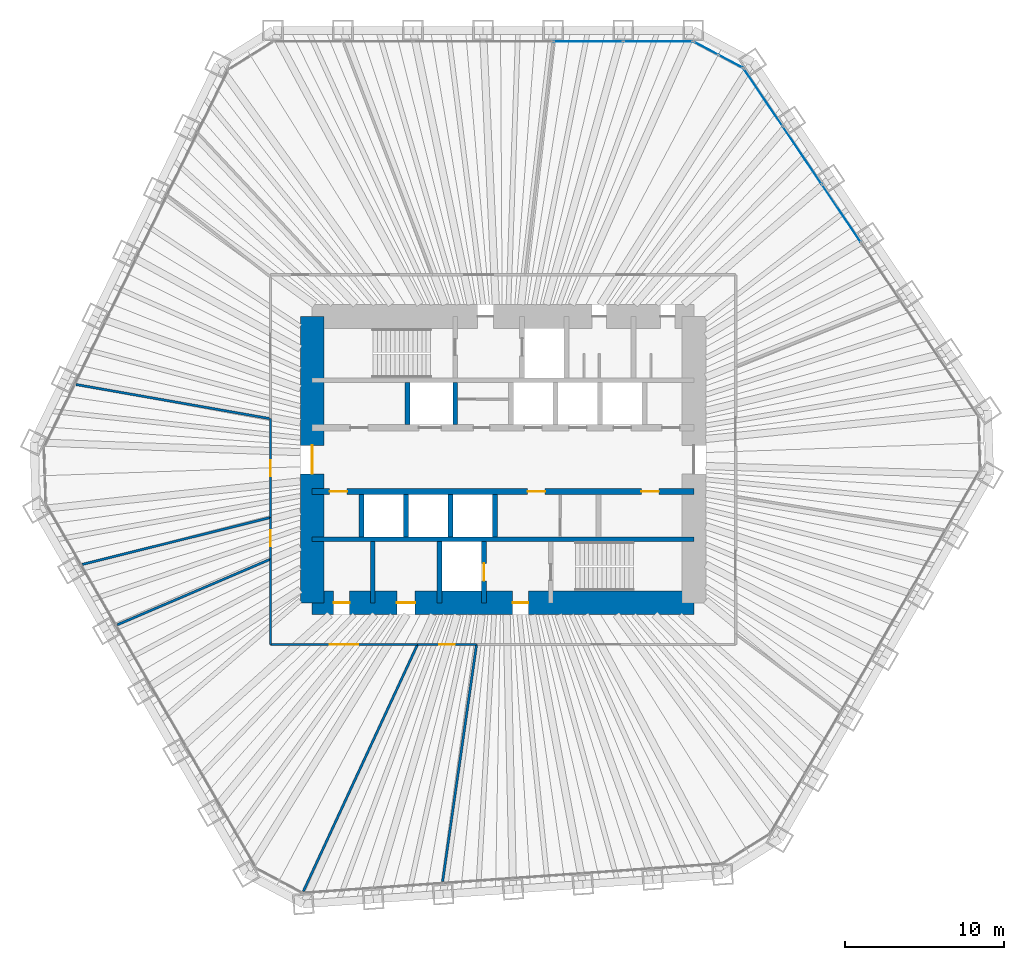
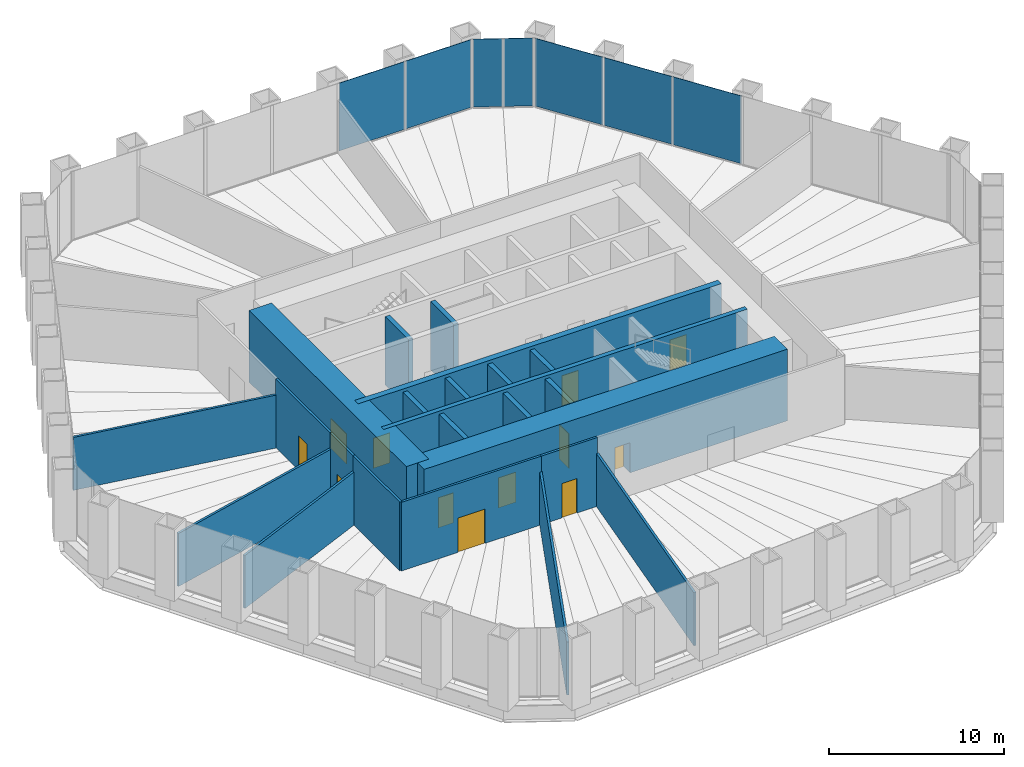
# One storey, part 10 of 13: 23 walls, 12 doors, 7 plates, 12 openings, 3 elements without a shape of their own.
"""IFC4 building model written with IfcOpenShell, lengths in metres."""

import ifcopenshell
import ifcopenshell.guid

model = None  # the IFC model being written
_history = None  # IfcOwnerHistory: only IFC2X3 demands one
_inside = {}  # id of a spatial element -> (the spatial element, [elements in it])
_under = {}  # id of a project, library or spatial element -> (it, [spatial elements below it])
_declared = {}  # id of a project -> (the project, [libraries it declares])
_typed = {}  # id of a type object -> (the type object, [elements of that type])
_made_of = {}  # id of a material, layer set ... -> (it, [elements and type objects made of it])


def new_model(schema):
    """Start an empty IFC model of exactly this schema.

    Asked for "IFC4X3", IfcOpenShell would pick the latest addendum, in which some entities
    have other attributes; the version numbers below select the first issue.
    IFC2X3 requires an IfcOwnerHistory on every rooted entity: one is made here for all.
    """
    global model, _history
    if schema == "IFC4X3":
        model = ifcopenshell.file(schema_version=(4, 3, 0, 0))
    else:
        model = ifcopenshell.file(schema=schema)
    _inside.clear()
    _under.clear()
    _declared.clear()
    _typed.clear()
    _made_of.clear()
    _history = None
    if model.schema == "IFC2X3":
        org = make("IfcOrganization", Name="unknown")
        user = make(
            "IfcPersonAndOrganization",
            ThePerson=make("IfcPerson", FamilyName="unknown"),
            TheOrganization=org,
        )
        app = make(
            "IfcApplication",
            ApplicationDeveloper=org,
            Version="unknown",
            ApplicationFullName="unknown",
            ApplicationIdentifier="unknown",
        )
        _history = make(
            "IfcOwnerHistory",
            OwningUser=user,
            OwningApplication=app,
            ChangeAction="ADDED",
            CreationDate=0,
        )
    return model


def make(cls, **values):
    """One entity of the class cls with the attributes given. An attribute that is None is left unset."""
    return model.create_entity(
        cls, **{name: value for name, value in values.items() if value is not None}
    )


def rooted(cls, **values):
    """An entity with a GlobalId (a new one), such as an element, a storey or a relation."""
    return make(cls, GlobalId=ifcopenshell.guid.new(), OwnerHistory=_history, **values)


def si_unit(unit_type, name, prefix=None):
    """IfcSIUnit, for example si_unit("LENGTHUNIT", "METRE", prefix="MILLI")."""
    return make("IfcSIUnit", UnitType=unit_type, Prefix=prefix, Name=name)


def assignment(units):
    """IfcUnitAssignment: the units of a project."""
    return None if units is None else make("IfcUnitAssignment", Units=units)


def point(xyz):
    """IfcCartesianPoint."""
    return None if xyz is None else make("IfcCartesianPoint", Coordinates=xyz)


def direction(xyz):
    """IfcDirection."""
    return None if xyz is None else make("IfcDirection", DirectionRatios=xyz)


def frame(location, z_axis=None, x_axis=None):
    """IfcAxis2Placement3D, a coordinate frame: its origin and axes. An axis left out is left unset."""
    return make(
        "IfcAxis2Placement3D",
        Location=point(location),
        Axis=direction(z_axis),
        RefDirection=direction(x_axis),
    )


def frame_2d(location, x_axis=None):
    """IfcAxis2Placement2D, a coordinate frame in the plane: its origin and x axis."""
    return make(
        "IfcAxis2Placement2D", Location=point(location), RefDirection=direction(x_axis)
    )


def origin():
    """The frame at (0, 0, 0) with its axes left unset."""
    return frame((0.0, 0.0, 0.0))


def origin_2d():
    """The frame at (0, 0) in the plane with its x axis left unset."""
    return frame_2d((0.0, 0.0))


def place(relative_to, where):
    """IfcLocalPlacement: puts the frame where relative to a parent placement (None: the world)."""
    return make(
        "IfcLocalPlacement", PlacementRelTo=relative_to, RelativePlacement=where
    )


def context(
    kind, dimensions, precision=None, world=None, true_north=None, identifier=None
):
    """IfcGeometricRepresentationContext, for example the 3D "Model" context."""
    return make(
        "IfcGeometricRepresentationContext",
        ContextIdentifier=identifier,
        ContextType=kind,
        CoordinateSpaceDimension=dimensions,
        Precision=precision,
        WorldCoordinateSystem=world,
        TrueNorth=true_north,
    )


def subcontext(parent, identifier, kind, view, scale=None):
    """IfcGeometricRepresentationSubContext, for example "Body" below "Model"."""
    return make(
        "IfcGeometricRepresentationSubContext",
        ContextIdentifier=identifier,
        ContextType=kind,
        ParentContext=parent,
        TargetScale=scale,
        TargetView=view,
    )


def project(units=None, contexts=None):
    """IfcProject with its units and contexts."""
    return rooted(
        "IfcProject",
        Name="project",
        RepresentationContexts=contexts,
        UnitsInContext=assignment(units),
    )


def spatial(cls, under=None, at=None, **own):
    """A site, building, storey or space (cls), placed at a placement, below another one or the project."""
    s = rooted(cls, ObjectPlacement=at, **own)
    if under is not None:
        _under.setdefault(under.id(), (under, []))[1].append(s)
    return s


def profile(cls, at=None, kind="AREA", **sizes):
    """A parametric profile (cls). Its sizes go by their IFC names, for example OverallWidth=200.0."""
    return make(cls, ProfileType=kind, Position=at, **sizes)


def rectangle(**sizes):
    """IfcRectangleProfileDef."""
    return profile("IfcRectangleProfileDef", **sizes)


def extrude(swept, where, along, depth):
    """IfcExtrudedAreaSolid: the profile swept, set in the frame where, extruded along a direction by depth."""
    return make(
        "IfcExtrudedAreaSolid",
        SweptArea=swept,
        Position=where,
        ExtrudedDirection=direction(along),
        Depth=depth,
    )


def shape(context_of_items, identifier, shape_type, items):
    """IfcShapeRepresentation: the items that make up one representation, for example the "Body"."""
    return make(
        "IfcShapeRepresentation",
        ContextOfItems=context_of_items,
        RepresentationIdentifier=identifier,
        RepresentationType=shape_type,
        Items=items,
    )


def material(Name=None, Category=None):
    """IfcMaterial."""
    return make("IfcMaterial", Name=Name, Category=Category)


def layer(
    of_material, thickness, ventilated=None, Name=None, Category=None, Priority=None
):
    """IfcMaterialLayer: one layer of a wall or slab, of a material (None: an air gap)."""
    return make(
        "IfcMaterialLayer",
        Material=of_material,
        LayerThickness=thickness,
        IsVentilated=ventilated,
        Name=Name,
        Category=Category,
        Priority=Priority,
    )


def layer_set(layers, Name=None):
    """IfcMaterialLayerSet."""
    return make("IfcMaterialLayerSet", MaterialLayers=layers, LayerSetName=Name)


def made_of(thing, what):
    """Note that an element or type object is made of a material, layer set ...; save() writes the relation."""
    if what is not None:
        _made_of.setdefault(what.id(), (what, []))[1].append(thing)
    return thing


def type_object(cls, material=None, **own):
    """A type object (cls), such as IfcWallType, which elements share."""
    return made_of(rooted(cls, **own), material)


def element(
    cls,
    number,
    at=None,
    inside=None,
    cuts=None,
    type_object=None,
    material=None,
    context=None,
    identifier="Body",
    shape_type=None,
    held_by="IfcProductDefinitionShape",
    body=None,
    shapes=None,
    **own,
):
    """One element of the class cls, such as IfcWall. Its Tag is "e" and its number.

    at: its placement. inside: the storey or other place that contains it. cuts: it is an
    opening in that element (IfcRelVoidsElement). A single representation is given by context,
    identifier, shape_type and body (its items); several are given by shapes. held_by: the class
    of the entity that holds the representations. save() writes the other relations.
    """
    e = rooted(cls, Tag="e%d" % number, ObjectPlacement=at, **own)
    if body is not None:
        shapes = [shape(context, identifier, shape_type, body)]
    if shapes is not None:
        e.Representation = make(held_by, Representations=shapes)
    if inside is not None:
        _inside.setdefault(inside.id(), (inside, []))[1].append(e)
    if cuts is not None:
        rooted(
            "IfcRelVoidsElement", RelatingBuildingElement=cuts, RelatedOpeningElement=e
        )
    if type_object is not None:
        _typed.setdefault(type_object.id(), (type_object, []))[1].append(e)
    return made_of(e, material)


def fill(opening, filler):
    """IfcRelFillsElement: the door or window that sits in an opening."""
    return rooted(
        "IfcRelFillsElement",
        RelatingOpeningElement=opening,
        RelatedBuildingElement=filler,
    )


def aggregate(whole, parts):
    """IfcRelAggregates: a whole, such as a stair, and the parts it consists of."""
    return rooted("IfcRelAggregates", RelatingObject=whole, RelatedObjects=parts)


def save(model, path):
    """Write the relations noted so far, then the file.

    IfcRelAggregates (storeys below a building ...), IfcRelContainedInSpatialStructure (elements
    in a storey), IfcRelDefinesByType, IfcRelAssociatesMaterial and IfcRelDeclares: one each for
    every whole, place, type object, material and project.
    """
    for whole, parts in _under.values():
        aggregate(whole, parts)
    for where, things in _inside.values():
        rooted(
            "IfcRelContainedInSpatialStructure",
            RelatedElements=things,
            RelatingStructure=where,
        )
    for kind, things in _typed.values():
        rooted("IfcRelDefinesByType", RelatedObjects=things, RelatingType=kind)
    for what, things in _made_of.values():
        rooted("IfcRelAssociatesMaterial", RelatedObjects=things, RelatingMaterial=what)
    for by, libraries in _declared.values():
        rooted("IfcRelDeclares", RelatingContext=by, RelatedDefinitions=libraries)
    model.write(path)


model = new_model("IFC4")

# Units and contexts
model_context = context("Model", 3, precision=1e-05, world=origin(), true_north=direction((0.0, 1.0)))
body_context = subcontext(model_context, "Body", "Model", "MODEL_VIEW")
ifc_project = project(units=[si_unit("LENGTHUNIT", "METRE"), si_unit("AREAUNIT", "SQUARE_METRE"), si_unit("VOLUMEUNIT", "CUBIC_METRE"), si_unit("PLANEANGLEUNIT", "RADIAN"), si_unit("MASSUNIT", "GRAM", prefix="KILO")], contexts=[model_context])

# Site, building, storey
site_placement = place(None, origin())
site = spatial("IfcSite", under=ifc_project, at=site_placement, CompositionType="ELEMENT")
building_placement = place(site_placement, origin())
building = spatial("IfcBuilding", under=site, at=building_placement, Name="Qingtian Harvest Tower", CompositionType="ELEMENT")
storey_placement = place(building_placement, frame((0.0, 0.0, 47.0)))
storey = spatial("IfcBuildingStorey", under=building, at=storey_placement, Name="L09", CompositionType="ELEMENT", Elevation=47.0)

# Curtain wall, plates
ifc_material_1 = material(Name="Bronze-anodised aluminium curtain wall", Category="aluminium")
curtain_wall_type = type_object("IfcCurtainWallType", Name="Curtain wall CW2 farm reception", PredefinedType="USERDEFINED", material=ifc_material_1)
curtain_wall_1_placement = place(storey_placement, origin())
curtain_wall_1 = element("IfcCurtainWall", 1, at=curtain_wall_1_placement, inside=storey, type_object=curtain_wall_type, Name="Curtain wall CW2 L09 N0-5", ObjectType="RECESSED CURTAIN WALL", PredefinedType="USERDEFINED")
ifc_material_2 = material(Name="Bronze-tinted laminated insulating glass", Category="glass")
ifc_layer_1 = layer(ifc_material_2, 0.030029296875)
ifc_layer_set_1 = layer_set([ifc_layer_1], Name="Glazed panel CWP tinted IGU")
plate_type = type_object("IfcPlateType", Name="Glazed panel CWP tinted IGU", PredefinedType="CURTAIN_PANEL", material=ifc_layer_set_1)
plate_1_placement = place(storey_placement, frame((5.349365234375, 26.300048828125, 0.06494140625), z_axis=(0.0, 0.0, 1.0), x_axis=(1.0, 0.0, 0.0)))
plate_1 = element("IfcPlate", 2, at=plate_1_placement, type_object=plate_type, Name="CW2 panel 5.1", PredefinedType="CURTAIN_PANEL", context=body_context, shape_type="SweptSolid", body=[
    extrude(rectangle(XDim=4.339599609375, YDim=0.030029296875, at=origin_2d()), origin(), (0.0, 0.0, 1.0), 4.735107421875),
])
plate_2_placement = place(storey_placement, frame((9.737548828125, 26.300048828125, 0.06494140625), z_axis=(0.0, 0.0, 1.0), x_axis=(1.0, 0.0, 0.0)))
plate_2 = element("IfcPlate", 3, at=plate_2_placement, type_object=plate_type, Name="CW2 panel 6.1", PredefinedType="CURTAIN_PANEL", context=body_context, shape_type="SweptSolid", body=[
    extrude(rectangle(XDim=4.30712890625, YDim=0.030029296875, at=origin_2d()), origin(), (0.0, 0.0, 1.0), 4.735107421875),
])
aggregate(curtain_wall_1, [plate_1, plate_2])

curtain_wall_2_placement = place(storey_placement, origin())
curtain_wall_2 = element("IfcCurtainWall", 4, at=curtain_wall_2_placement, inside=storey, type_object=curtain_wall_type, Name="Curtain wall CW2 L09 NC", ObjectType="RECESSED CURTAIN WALL", PredefinedType="USERDEFINED")
plate_3_placement = place(storey_placement, frame((12.760986328125, 25.8720703125, 0.06494140625), z_axis=(0.0, 0.0, 1.0), x_axis=(0.882947592859, -0.469471562786, 0.0)))
plate_3 = element("IfcPlate", 5, at=plate_3_placement, type_object=plate_type, Name="CW2 panel 1.1", PredefinedType="CURTAIN_PANEL", context=body_context, shape_type="SweptSolid", body=[
    extrude(rectangle(XDim=1.69287109375, YDim=0.030029296875, at=origin_2d()), origin(), (0.0, 0.0, 1.0), 4.735107421875),
])
plate_4_placement = place(storey_placement, frame((14.31298828125, 25.046875, 0.06494140625), z_axis=(0.0, 0.0, 1.0), x_axis=(0.882947592859, -0.469471562786, 0.0)))
plate_4 = element("IfcPlate", 6, at=plate_4_placement, type_object=plate_type, Name="CW2 panel 2.1", PredefinedType="CURTAIN_PANEL", context=body_context, shape_type="SweptSolid", body=[
    extrude(rectangle(XDim=1.69287109375, YDim=0.030029296875, at=origin_2d()), origin(), (0.0, 0.0, 1.0), 4.735107421875),
])
aggregate(curtain_wall_2, [plate_3, plate_4])

curtain_wall_3_placement = place(storey_placement, origin())
curtain_wall_3 = element("IfcCurtainWall", 7, at=curtain_wall_3_placement, inside=storey, type_object=curtain_wall_type, Name="Curtain wall CW2 L09 NE0-5", ObjectType="RECESSED CURTAIN WALL", PredefinedType="USERDEFINED")
plate_5_placement = place(storey_placement, frame((16.3583984375, 22.779541015625, 0.06494140625), z_axis=(0.0, 0.0, 1.0), x_axis=(0.559192903471, -0.829037572555, 0.0)))
plate_5 = element("IfcPlate", 8, at=plate_5_placement, type_object=plate_type, Name="CW2 panel 1.1", PredefinedType="CURTAIN_PANEL", context=body_context, shape_type="SweptSolid", body=[
    extrude(rectangle(XDim=4.30712890625, YDim=0.030029296875, at=origin_2d()), origin(), (0.0, 0.0, 1.0), 4.735107421875),
])
plate_6_placement = place(storey_placement, frame((18.8125, 19.1416015625, 0.06494140625), z_axis=(0.0, 0.0, 1.0), x_axis=(0.559192903471, -0.829037572555, 0.0)))
plate_6 = element("IfcPlate", 9, at=plate_6_placement, type_object=plate_type, Name="CW2 panel 2.1", PredefinedType="CURTAIN_PANEL", context=body_context, shape_type="SweptSolid", body=[
    extrude(rectangle(XDim=4.339599609375, YDim=0.030029296875, at=origin_2d()), origin(), (0.0, 0.0, 1.0), 4.735107421875),
])
plate_7_placement = place(storey_placement, frame((21.275390625, 15.489990234375, 0.06494140625), z_axis=(0.0, 0.0, 1.0), x_axis=(0.559192903471, -0.829037572555, 0.0)))
plate_7 = element("IfcPlate", 10, at=plate_7_placement, type_object=plate_type, Name="CW2 panel 3.1", PredefinedType="CURTAIN_PANEL", context=body_context, shape_type="SweptSolid", body=[
    extrude(rectangle(XDim=4.339599609375, YDim=0.030029296875, at=origin_2d()), origin(), (0.0, 0.0, 1.0), 4.735107421875),
])
aggregate(curtain_wall_3, [plate_5, plate_6, plate_7])

# Wall
ifc_material_3 = material(Name="Concrete fc' 70 MPa", Category="concrete")
ifc_layer_2 = layer(ifc_material_3, 0.300048828125)
ifc_layer_set_2 = layer_set([ifc_layer_2], Name="Core inner wall RC5 300")
wall_type_1 = type_object("IfcWallType", Name="Core inner wall RC5 300", PredefinedType="SHEAR", material=ifc_layer_set_2)
wall_1_placement = place(storey_placement, frame((-12.0, -5.0, 0.0), z_axis=(0.0, 0.0, 1.0), x_axis=(1.0, 0.0, 0.0)))
element("IfcWall", 11, at=wall_1_placement, inside=storey, type_object=wall_type_1, Name="Core wall IS5 L09", PredefinedType="SHEAR", context=body_context, shape_type="SweptSolid", body=[
    extrude(rectangle(XDim=24.0, YDim=0.300048828125, at=frame_2d((12.0, 0.0))), origin(), (0.0, 0.0, 1.0), 5.0),
])

# Wall, openings, doors
ifc_material_4 = material(Name="Concrete fc' 70 MPa", Category="concrete")
ifc_layer_3 = layer(ifc_material_4, 0.39990234375)
ifc_layer_set_3 = layer_set([ifc_layer_3], Name="Core inner web RC6 400")
wall_type_2 = type_object("IfcWallType", Name="Core inner web RC6 400", PredefinedType="SHEAR", material=ifc_layer_set_3)
wall_2_placement = place(storey_placement, frame((-12.0, -2.0, 0.0), z_axis=(0.0, 0.0, 1.0), x_axis=(1.0, 0.0, 0.0)))
wall_2 = element("IfcWall", 12, at=wall_2_placement, inside=storey, type_object=wall_type_2, Name="Core wall IS2 L09", PredefinedType="SHEAR", context=body_context, shape_type="SweptSolid", body=[
    extrude(rectangle(XDim=24.0, YDim=0.39990234375, at=frame_2d((12.0, 0.0))), origin(), (0.0, 0.0, 1.0), 5.0),
])
opening_1_placement = place(wall_2_placement, frame((1.10009765625, 0.0, 0.0)))
opening_1 = element("IfcOpeningElement", 13, at=opening_1_placement, cuts=wall_2, Name="Opening FD4", PredefinedType="OPENING", context=body_context, shape_type="SweptSolid", body=[
    extrude(rectangle(XDim=1.10009765625, YDim=2.10009765625, at=frame_2d((0.550048828125, 1.050048828125))), frame((0.0, 0.2099609375, 0.0), z_axis=(0.0, -1.0, 0.0), x_axis=(1.0, 0.0, 0.0)), (0.0, 0.0, 1.0), 0.419921875),
])
opening_2_placement = place(wall_2_placement, frame((13.550048828125, 0.0, 0.0)))
opening_2 = element("IfcOpeningElement", 14, at=opening_2_placement, cuts=wall_2, Name="Opening FD4", PredefinedType="OPENING", context=body_context, shape_type="SweptSolid", body=[
    extrude(rectangle(XDim=1.10009765625, YDim=2.10009765625, at=frame_2d((0.550048828125, 1.050048828125))), frame((0.0, 0.2099609375, 0.0), z_axis=(0.0, -1.0, 0.0), x_axis=(1.0, 0.0, 0.0)), (0.0, 0.0, 1.0), 0.419921875),
])
opening_3_placement = place(wall_2_placement, frame((20.699951171875, 0.0, 0.0)))
opening_3 = element("IfcOpeningElement", 15, at=opening_3_placement, cuts=wall_2, Name="Opening FD4", PredefinedType="OPENING", context=body_context, shape_type="SweptSolid", body=[
    extrude(rectangle(XDim=1.10009765625, YDim=2.10009765625, at=frame_2d((0.550048828125, 1.050048828125))), frame((0.0, 0.2099609375, 0.0), z_axis=(0.0, -1.0, 0.0), x_axis=(1.0, 0.0, 0.0)), (0.0, 0.0, 1.0), 0.419921875),
])
ifc_material_5 = material(Name="Steel-faced door leaf", Category="steel")
door_type_1 = type_object("IfcDoorType", Name="Fire door FD4 single 2 HR", OperationType="SINGLE_SWING_LEFT", PredefinedType="DOOR", material=ifc_material_5)
door_1_placement = place(opening_1_placement, origin())
door_1 = element("IfcDoor", 16, at=door_1_placement, inside=storey, type_object=door_type_1, Name="RB door L09", OperationType="SINGLE_SWING_LEFT", OverallHeight=2.10009765625, OverallWidth=1.10009765625, PredefinedType="DOOR", context=body_context, shape_type="SweptSolid", body=[
    extrude(rectangle(XDim=1.10009765625, YDim=2.10009765625, at=frame_2d((0.550048828125, 1.050048828125))), frame((0.0, 0.02490234375, 0.0), z_axis=(0.0, -1.0, 0.0), x_axis=(1.0, 0.0, 0.0)), (0.0, 0.0, 1.0), 0.050048828125),
])
fill(opening_1, door_1)
door_2_placement = place(opening_2_placement, origin())
door_2 = element("IfcDoor", 17, at=door_2_placement, inside=storey, type_object=door_type_1, Name="ELEC door L09", OperationType="SINGLE_SWING_RIGHT", OverallHeight=2.10009765625, OverallWidth=1.10009765625, PredefinedType="DOOR", context=body_context, shape_type="SweptSolid", body=[
    extrude(rectangle(XDim=1.10009765625, YDim=2.10009765625, at=frame_2d((0.550048828125, 1.050048828125))), frame((0.0, 0.02490234375, 0.0), z_axis=(0.0, -1.0, 0.0), x_axis=(1.0, 0.0, 0.0)), (0.0, 0.0, 1.0), 0.050048828125),
])
fill(opening_2, door_2)
door_3_placement = place(opening_3_placement, origin())
door_3 = element("IfcDoor", 18, at=door_3_placement, inside=storey, type_object=door_type_1, Name="DUCT door L09", OperationType="SINGLE_SWING_LEFT", OverallHeight=2.10009765625, OverallWidth=1.10009765625, PredefinedType="DOOR", context=body_context, shape_type="SweptSolid", body=[
    extrude(rectangle(XDim=1.10009765625, YDim=2.10009765625, at=frame_2d((0.550048828125, 1.050048828125))), frame((0.0, 0.02490234375, 0.0), z_axis=(0.0, -1.0, 0.0), x_axis=(1.0, 0.0, 0.0)), (0.0, 0.0, 1.0), 0.050048828125),
])
fill(opening_3, door_3)

# Walls
ifc_material_6 = material(Name="Precast concrete shaft panel", Category="concrete")
ifc_layer_4 = layer(ifc_material_6, 0.300048828125)
ifc_layer_set_4 = layer_set([ifc_layer_4], Name="Core shaft partition SW1 300")
wall_type_3 = type_object("IfcWallType", Name="Core shaft partition SW1 300", PredefinedType="PARTITIONING", material=ifc_layer_set_4)
for number, where, z_axis, x_axis, name in (
    (19, (-6.0, 2.199951171875, 0.0), (0.0, 0.0, 1.0), (0.0, 1.0, 0.0), "Core shaft partition XA1 L09"),
    (20, (-3.0, 2.199951171875, 0.0), (0.0, 0.0, 1.0), (0.0, 1.0, 0.0), "Core shaft partition XA2 L09"),
    (21, (-8.89990234375, -4.85009765625, 0.0), (0.0, 0.0, 1.0), (0.0, 1.0, 0.0), "Core shaft partition XB1 L09"),
    (22, (-6.10009765625, -4.85009765625, 0.0), (0.0, 0.0, 1.0), (0.0, 1.0, 0.0), "Core shaft partition XB2 L09"),
    (23, (-3.300048828125, -4.85009765625, 0.0), (0.0, 0.0, 1.0), (0.0, 1.0, 0.0), "Core shaft partition XB3 L09"),
    (24, (-0.5, -4.85009765625, 0.0), (0.0, 0.0, 1.0), (0.0, 1.0, 0.0), "Core shaft partition XB4 L09"),
):
    element("IfcWall", number, at=place(storey_placement, frame(where, z_axis=z_axis, x_axis=x_axis)), inside=storey, type_object=wall_type_3, Name=name, PredefinedType="PARTITIONING", context=body_context, shape_type="SweptSolid", body=[
        extrude(rectangle(XDim=2.650146484375, YDim=0.300048828125, at=frame_2d((1.3251953125, 0.0))), origin(), (0.0, 0.0, 1.0), 4.780029296875),
    ])
for number, where, z_axis, x_axis, name in (
    (25, (-8.199951171875, -9.0, 0.0), (0.0, 0.0, 1.0), (0.0, 1.0, 0.0), "Core shaft partition XS1 L09"),
    (26, (-4.0, -9.0, 0.0), (0.0, 0.0, 1.0), (0.0, 1.0, 0.0), "Core shaft partition XS2 L09"),
):
    element("IfcWall", number, at=place(storey_placement, frame(where, z_axis=z_axis, x_axis=x_axis)), inside=storey, type_object=wall_type_3, Name=name, PredefinedType="PARTITIONING", context=body_context, shape_type="SweptSolid", body=[
        extrude(rectangle(XDim=3.85009765625, YDim=0.300048828125, at=frame_2d((1.925048828125, 0.0))), origin(), (0.0, 0.0, 1.0), 4.780029296875),
    ])

# Wall, opening, door
wall_3_placement = place(storey_placement, frame((-1.199951171875, -9.0, 0.0), z_axis=(0.0, 0.0, 1.0), x_axis=(0.0, 1.0, 0.0)))
wall_3 = element("IfcWall", 27, at=wall_3_placement, inside=storey, type_object=wall_type_3, Name="Core shaft partition XS3 L09", PredefinedType="PARTITIONING", context=body_context, shape_type="SweptSolid", body=[
    extrude(rectangle(XDim=3.85009765625, YDim=0.300048828125, at=frame_2d((1.925048828125, 0.0))), origin(), (0.0, 0.0, 1.0), 4.780029296875),
])
opening_4_placement = place(wall_3_placement, frame((1.375, 0.0, 0.0)))
opening_4 = element("IfcOpeningElement", 28, at=opening_4_placement, cuts=wall_3, Name="Opening LD1", PredefinedType="OPENING", context=body_context, shape_type="SweptSolid", body=[
    extrude(rectangle(XDim=1.10009765625, YDim=2.39990234375, at=frame_2d((0.550048828125, 1.199951171875))), frame((0.0, 0.159912109375, 0.0), z_axis=(0.0, -1.0, 0.0), x_axis=(1.0, 0.0, 0.0)), (0.0, 0.0, 1.0), 0.320068359375),
])
ifc_material_7 = material(Name="Stainless steel lift landing door", Category="steel")
door_type_2 = type_object("IfcDoorType", Name="Lift landing door LD1 1 HR", OperationType="DOUBLE_DOOR_SLIDING", PredefinedType="DOOR", material=ifc_material_7)
door_4_placement = place(opening_4_placement, origin())
door_4 = element("IfcDoor", 29, at=door_4_placement, inside=storey, type_object=door_type_2, Name="FL2 landing door L09", OperationType="DOUBLE_DOOR_SLIDING", OverallHeight=2.39990234375, OverallWidth=1.10009765625, PredefinedType="DOOR", context=body_context, shape_type="SweptSolid", body=[
    extrude(rectangle(XDim=1.10009765625, YDim=2.39990234375, at=frame_2d((0.550048828125, 1.199951171875))), frame((0.0, 0.02490234375, 0.0), z_axis=(0.0, -1.0, 0.0), x_axis=(1.0, 0.0, 0.0)), (0.0, 0.0, 1.0), 0.050048828125),
])
fill(opening_4, door_4)

# Wall, openings, doors
ifc_material_8 = material(Name="Concrete fc' 70 MPa", Category="concrete")
ifc_layer_5 = layer(ifc_material_8, 1.5)
ifc_layer_set_5 = layer_set([ifc_layer_5], Name="Core wall RC1 1500")
wall_type_4 = type_object("IfcWallType", Name="Core wall RC1 1500", PredefinedType="SHEAR", material=ifc_layer_set_5)
wall_4_placement = place(storey_placement, frame((-12.0, -9.0, 0.0), z_axis=(0.0, 0.0, 1.0), x_axis=(1.0, 0.0, 0.0)))
wall_4 = element("IfcWall", 30, at=wall_4_placement, inside=storey, type_object=wall_type_4, Name="Core wall CS L09", PredefinedType="SHEAR", context=body_context, shape_type="SweptSolid", body=[
    extrude(rectangle(XDim=24.0, YDim=1.5, at=frame_2d((12.0, 0.0))), origin(), (0.0, 0.0, 1.0), 5.0),
])
opening_5_placement = place(wall_4_placement, frame((1.35009765625, 0.0, 0.0)))
opening_5 = element("IfcOpeningElement", 31, at=opening_5_placement, cuts=wall_4, Name="Opening FD1", PredefinedType="OPENING", context=body_context, shape_type="SweptSolid", body=[
    extrude(rectangle(XDim=1.0, YDim=2.10009765625, at=frame_2d((0.5, 1.050048828125))), frame((0.0, 0.760009765625, 0.0), z_axis=(0.0, -1.0, 0.0), x_axis=(1.0, 0.0, 0.0)), (0.0, 0.0, 1.0), 1.52001953125),
])
opening_6_placement = place(wall_4_placement, frame((5.324951171875, 0.0, 0.0)))
opening_6 = element("IfcOpeningElement", 32, at=opening_6_placement, cuts=wall_4, Name="Opening AD1", PredefinedType="OPENING", context=body_context, shape_type="SweptSolid", body=[
    extrude(rectangle(XDim=1.14990234375, YDim=2.10009765625, at=frame_2d((0.574951171875, 1.050048828125))), frame((0.0, 0.760009765625, 0.0), z_axis=(0.0, -1.0, 0.0), x_axis=(1.0, 0.0, 0.0)), (0.0, 0.0, 1.0), 1.52001953125),
])
opening_7_placement = place(wall_4_placement, frame((12.60009765625, 0.0, 0.0)))
opening_7 = element("IfcOpeningElement", 33, at=opening_7_placement, cuts=wall_4, Name="Opening FD1", PredefinedType="OPENING", context=body_context, shape_type="SweptSolid", body=[
    extrude(rectangle(XDim=1.0, YDim=2.10009765625, at=frame_2d((0.5, 1.050048828125))), frame((0.0, 0.760009765625, 0.0), z_axis=(0.0, -1.0, 0.0), x_axis=(1.0, 0.0, 0.0)), (0.0, 0.0, 1.0), 1.52001953125),
])
ifc_material_9 = material(Name="Laminated timber door leaf", Category="wood")
door_type_3 = type_object("IfcDoorType", Name="Accessible WC door AD1 single", OperationType="SINGLE_SWING_LEFT", PredefinedType="DOOR", material=ifc_material_9)
door_5_placement = place(opening_6_placement, origin())
door_5 = element("IfcDoor", 34, at=door_5_placement, inside=storey, type_object=door_type_3, Name="AWC door L09", OperationType="SINGLE_SWING_RIGHT", OverallHeight=2.10009765625, OverallWidth=1.14990234375, PredefinedType="DOOR", context=body_context, shape_type="SweptSolid", body=[
    extrude(rectangle(XDim=1.14990234375, YDim=2.10009765625, at=frame_2d((0.574951171875, 1.050048828125))), frame((0.0, 0.02490234375, 0.0), z_axis=(0.0, -1.0, 0.0), x_axis=(1.0, 0.0, 0.0)), (0.0, 0.0, 1.0), 0.050048828125),
])
fill(opening_6, door_5)
ifc_material_10 = material(Name="Steel-faced door leaf", Category="steel")
door_type_4 = type_object("IfcDoorType", Name="Fire door FD1 single 1 HR", OperationType="SINGLE_SWING_LEFT", PredefinedType="DOOR", material=ifc_material_10)
door_6_placement = place(opening_5_placement, origin())
door_6 = element("IfcDoor", 35, at=door_6_placement, inside=storey, type_object=door_type_4, Name="CLN door L09", OperationType="SINGLE_SWING_LEFT", OverallHeight=2.10009765625, OverallWidth=1.0, PredefinedType="DOOR", context=body_context, shape_type="SweptSolid", body=[
    extrude(rectangle(XDim=1.0, YDim=2.10009765625, at=frame_2d((0.5, 1.050048828125))), frame((0.0, 0.02490234375, 0.0), z_axis=(0.0, -1.0, 0.0), x_axis=(1.0, 0.0, 0.0)), (0.0, 0.0, 1.0), 0.050048828125),
])
fill(opening_5, door_6)
door_7_placement = place(opening_7_placement, origin())
door_7 = element("IfcDoor", 36, at=door_7_placement, inside=storey, type_object=door_type_4, Name="V2 door L09", OperationType="SINGLE_SWING_RIGHT", OverallHeight=2.10009765625, OverallWidth=1.0, PredefinedType="DOOR", context=body_context, shape_type="SweptSolid", body=[
    extrude(rectangle(XDim=1.0, YDim=2.10009765625, at=frame_2d((0.5, 1.050048828125))), frame((0.0, 0.02490234375, 0.0), z_axis=(0.0, -1.0, 0.0), x_axis=(1.0, 0.0, 0.0)), (0.0, 0.0, 1.0), 0.050048828125),
])
fill(opening_7, door_7)

# Wall, opening, door
wall_5_placement = place(storey_placement, frame((-12.0, -9.0, 0.0), z_axis=(0.0, 0.0, 1.0), x_axis=(0.0, 1.0, 0.0)))
wall_5 = element("IfcWall", 37, at=wall_5_placement, inside=storey, type_object=wall_type_4, Name="Core wall CW L09", PredefinedType="SHEAR", context=body_context, shape_type="SweptSolid", body=[
    extrude(rectangle(XDim=18.0, YDim=1.5, at=frame_2d((9.0, 0.0))), origin(), (0.0, 0.0, 1.0), 5.0),
])
opening_8_placement = place(wall_5_placement, frame((8.10009765625, 0.0, 0.0)))
opening_8 = element("IfcOpeningElement", 38, at=opening_8_placement, cuts=wall_5, Name="Opening FD2", PredefinedType="OPENING", context=body_context, shape_type="SweptSolid", body=[
    extrude(rectangle(XDim=1.800048828125, YDim=2.10009765625, at=frame_2d((0.89990234375, 1.050048828125))), frame((0.0, 0.760009765625, 0.0), z_axis=(0.0, -1.0, 0.0), x_axis=(1.0, 0.0, 0.0)), (0.0, 0.0, 1.0), 1.52001953125),
])
ifc_material_11 = material(Name="Steel-faced door leaf", Category="steel")
door_type_5 = type_object("IfcDoorType", Name="Fire door FD2 double 1 HR", OperationType="DOUBLE_DOOR_DOUBLE_SWING", PredefinedType="DOOR", material=ifc_material_11)
door_8_placement = place(opening_8_placement, origin())
door_8 = element("IfcDoor", 39, at=door_8_placement, inside=storey, type_object=door_type_5, Name="LOBBY-W door L09", OperationType="DOUBLE_DOOR_DOUBLE_SWING", OverallHeight=2.10009765625, OverallWidth=1.800048828125, PredefinedType="DOOR", context=body_context, shape_type="SweptSolid", body=[
    extrude(rectangle(XDim=1.800048828125, YDim=2.10009765625, at=frame_2d((0.89990234375, 1.050048828125))), frame((0.0, 0.02490234375, 0.0), z_axis=(0.0, -1.0, 0.0), x_axis=(1.0, 0.0, 0.0)), (0.0, 0.0, 1.0), 0.050048828125),
])
fill(opening_8, door_8)

# Wall
ifc_material_12 = material(Name="Gypsum board on steel studs", Category="steel")
ifc_layer_6 = layer(ifc_material_12, 0.14990234375)
ifc_layer_set_6 = layer_set([ifc_layer_6], Name="Partition PT1 150")
wall_type_5 = type_object("IfcWallType", Name="Partition PT1 150", PredefinedType="PARTITIONING", material=ifc_layer_set_6)
wall_6_placement = place(storey_placement, frame((-3.7998046875, -26.531982421875, 0.0), z_axis=(0.0, 0.0, 1.0), x_axis=(0.14177542097, 0.989898848372, 0.0)))
element("IfcWall", 40, at=wall_6_placement, inside=storey, type_object=wall_type_5, Name="Nutrient dosing room wall L09", PredefinedType="PARTITIONING", context=body_context, shape_type="SweptSolid", body=[
    extrude(rectangle(XDim=15.05908203125, YDim=0.14990234375, at=frame_2d((7.529541015625, 0.0))), origin(), (0.0, 0.0, 1.0), 3.699951171875),
])

# Wall, opening, door
wall_7_placement = place(storey_placement, frame((-1.664794921875, -11.625, 0.0), z_axis=(0.0, 0.0, 1.0), x_axis=(-1.0, 0.0, 0.0)))
wall_7 = element("IfcWall", 41, at=wall_7_placement, inside=storey, type_object=wall_type_5, Name="Nutrient dosing room wall L09", PredefinedType="PARTITIONING", context=body_context, shape_type="SweptSolid", body=[
    extrude(rectangle(XDim=3.7119140625, YDim=0.14990234375, at=frame_2d((1.85595703125, 0.0))), origin(), (0.0, 0.0, 1.0), 4.800048828125),
])
opening_9_placement = place(wall_7_placement, frame((1.35595703125, 0.0, 0.0)))
opening_9 = element("IfcOpeningElement", 42, at=opening_9_placement, cuts=wall_7, Name="Opening D2", PredefinedType="OPENING", context=body_context, shape_type="SweptSolid", body=[
    extrude(rectangle(XDim=1.0, YDim=2.39990234375, at=frame_2d((0.5, 1.199951171875))), frame((0.0, 0.0849609375, 0.0), z_axis=(0.0, -1.0, 0.0), x_axis=(1.0, 0.0, 0.0)), (0.0, 0.0, 1.0), 0.169921875),
])
ifc_material_13 = material(Name="Laminated timber door leaf", Category="wood")
door_type_6 = type_object("IfcDoorType", Name="Room door D2 single", OperationType="SINGLE_SWING_LEFT", PredefinedType="DOOR", material=ifc_material_13)
door_9_placement = place(opening_9_placement, origin())
door_9 = element("IfcDoor", 43, at=door_9_placement, inside=storey, type_object=door_type_6, Name="Nutrient dosing room door L09", OperationType="SINGLE_SWING_RIGHT", OverallHeight=2.39990234375, OverallWidth=1.0, PredefinedType="DOOR", context=body_context, shape_type="SweptSolid", body=[
    extrude(rectangle(XDim=1.0, YDim=2.39990234375, at=frame_2d((0.5, 1.199951171875))), frame((0.0, 0.02490234375, 0.0), z_axis=(0.0, -1.0, 0.0), x_axis=(1.0, 0.0, 0.0)), (0.0, 0.0, 1.0), 0.050048828125),
])
fill(opening_9, door_9)

# Wall
wall_8_placement = place(storey_placement, frame((-12.5595703125, -27.154541015625, 0.0), z_axis=(0.0, 0.0, 1.0), x_axis=(0.419799104875, 0.907617051154, 0.0)))
element("IfcWall", 44, at=wall_8_placement, inside=storey, type_object=wall_type_5, Name="Lettuce growing room wall L09", PredefinedType="PARTITIONING", context=body_context, shape_type="SweptSolid", body=[
    extrude(rectangle(XDim=17.1103515625, YDim=0.14990234375, at=frame_2d((8.55517578125, 0.0))), origin(), (0.0, 0.0, 1.0), 3.699951171875),
])

# Wall, opening, door
wall_9_placement = place(storey_placement, frame((-5.376708984375, -11.625, 0.0), z_axis=(0.0, 0.0, 1.0), x_axis=(-1.0, 0.0, 0.0)))
wall_9 = element("IfcWall", 45, at=wall_9_placement, inside=storey, type_object=wall_type_5, Name="Lettuce growing room wall L09", PredefinedType="PARTITIONING", context=body_context, shape_type="SweptSolid", body=[
    extrude(rectangle(XDim=9.248291015625, YDim=0.14990234375, at=frame_2d((4.6240234375, 0.0))), origin(), (0.0, 0.0, 1.0), 4.800048828125),
])
opening_10_placement = place(wall_9_placement, frame((3.72412109375, 0.0, 0.0)))
opening_10 = element("IfcOpeningElement", 46, at=opening_10_placement, cuts=wall_9, Name="Opening D3", PredefinedType="OPENING", context=body_context, shape_type="SweptSolid", body=[
    extrude(rectangle(XDim=1.800048828125, YDim=2.39990234375, at=frame_2d((0.89990234375, 1.199951171875))), frame((0.0, 0.0849609375, 0.0), z_axis=(0.0, -1.0, 0.0), x_axis=(1.0, 0.0, 0.0)), (0.0, 0.0, 1.0), 0.169921875),
])
ifc_material_14 = material(Name="Laminated timber door leaf", Category="wood")
door_type_7 = type_object("IfcDoorType", Name="Room door D3 double", OperationType="DOUBLE_DOOR_DOUBLE_SWING", PredefinedType="DOOR", material=ifc_material_14)
door_10_placement = place(opening_10_placement, origin())
door_10 = element("IfcDoor", 47, at=door_10_placement, inside=storey, type_object=door_type_7, Name="Lettuce growing room door L09", OperationType="DOUBLE_DOOR_DOUBLE_SWING", OverallHeight=2.39990234375, OverallWidth=1.800048828125, PredefinedType="DOOR", context=body_context, shape_type="SweptSolid", body=[
    extrude(rectangle(XDim=1.800048828125, YDim=2.39990234375, at=frame_2d((0.89990234375, 1.199951171875))), frame((0.0, 0.02490234375, 0.0), z_axis=(0.0, -1.0, 0.0), x_axis=(1.0, 0.0, 0.0)), (0.0, 0.0, 1.0), 0.050048828125),
])
fill(opening_10, door_10)

# Walls
wall_10_placement = place(storey_placement, frame((-14.625, -11.625, 0.0), z_axis=(0.0, 0.0, 1.0), x_axis=(0.0, 1.0, 0.0)))
element("IfcWall", 48, at=wall_10_placement, inside=storey, type_object=wall_type_5, Name="Lettuce growing room wall L09", PredefinedType="PARTITIONING", context=body_context, shape_type="SweptSolid", body=[
    extrude(rectangle(XDim=5.36376953125, YDim=0.14990234375, at=frame_2d((2.681884765625, 0.0))), origin(), (0.0, 0.0, 1.0), 4.800048828125),
])
wall_11_placement = place(storey_placement, frame((-24.258056640625, -10.38525390625, 0.0), z_axis=(0.0, 0.0, 1.0), x_axis=(0.919298009201, 0.393562155547, 0.0)))
element("IfcWall", 49, at=wall_11_placement, inside=storey, type_object=wall_type_5, Name="Gowning room wall L09", PredefinedType="PARTITIONING", context=body_context, shape_type="SweptSolid", body=[
    extrude(rectangle(XDim=10.478759765625, YDim=0.14990234375, at=frame_2d((5.2392578125, 0.0))), origin(), (0.0, 0.0, 1.0), 3.699951171875),
])

# Wall, opening, door
wall_12_placement = place(storey_placement, frame((-14.625, -6.26123046875, 0.0), z_axis=(0.0, 0.0, 1.0), x_axis=(0.0, 1.0, 0.0)))
wall_12 = element("IfcWall", 50, at=wall_12_placement, inside=storey, type_object=wall_type_5, Name="Gowning room wall L09", PredefinedType="PARTITIONING", context=body_context, shape_type="SweptSolid", body=[
    extrude(rectangle(XDim=2.620361328125, YDim=0.14990234375, at=frame_2d((1.31005859375, 0.0))), origin(), (0.0, 0.0, 1.0), 4.800048828125),
])
opening_11_placement = place(wall_12_placement, frame((0.81005859375, 0.0, 0.0)))
opening_11 = element("IfcOpeningElement", 51, at=opening_11_placement, cuts=wall_12, Name="Opening D2", PredefinedType="OPENING", context=body_context, shape_type="SweptSolid", body=[
    extrude(rectangle(XDim=1.0, YDim=2.39990234375, at=frame_2d((0.5, 1.199951171875))), frame((0.0, 0.0849609375, 0.0), z_axis=(0.0, -1.0, 0.0), x_axis=(1.0, 0.0, 0.0)), (0.0, 0.0, 1.0), 0.169921875),
])
door_11_placement = place(opening_11_placement, origin())
door_11 = element("IfcDoor", 52, at=door_11_placement, inside=storey, type_object=door_type_6, Name="Gowning room door L09", OperationType="SINGLE_SWING_LEFT", OverallHeight=2.39990234375, OverallWidth=1.0, PredefinedType="DOOR", context=body_context, shape_type="SweptSolid", body=[
    extrude(rectangle(XDim=1.0, YDim=2.39990234375, at=frame_2d((0.5, 1.199951171875))), frame((0.0, 0.02490234375, 0.0), z_axis=(0.0, -1.0, 0.0), x_axis=(1.0, 0.0, 0.0)), (0.0, 0.0, 1.0), 0.050048828125),
])
fill(opening_11, door_11)

# Wall
wall_13_placement = place(storey_placement, frame((-26.455322265625, -6.5859375, 0.0), z_axis=(0.0, 0.0, 1.0), x_axis=(0.970383505188, 0.241569561118, 0.0)))
element("IfcWall", 53, at=wall_13_placement, inside=storey, type_object=wall_type_5, Name="Harvest wash room wall L09", PredefinedType="PARTITIONING", context=body_context, shape_type="SweptSolid", body=[
    extrude(rectangle(XDim=12.19140625, YDim=0.14990234375, at=frame_2d((6.095703125, 0.0))), origin(), (0.0, 0.0, 1.0), 3.699951171875),
])

# Wall, opening, door
wall_14_placement = place(storey_placement, frame((-14.625, -3.640869140625, 0.0), z_axis=(0.0, 0.0, 1.0), x_axis=(0.0, 1.0, 0.0)))
wall_14 = element("IfcWall", 54, at=wall_14_placement, inside=storey, type_object=wall_type_5, Name="Harvest wash room wall L09", PredefinedType="PARTITIONING", context=body_context, shape_type="SweptSolid", body=[
    extrude(rectangle(XDim=6.21435546875, YDim=0.14990234375, at=frame_2d((3.107177734375, 0.0))), origin(), (0.0, 0.0, 1.0), 4.800048828125),
])
opening_12_placement = place(wall_14_placement, frame((2.607177734375, 0.0, 0.0)))
opening_12 = element("IfcOpeningElement", 55, at=opening_12_placement, cuts=wall_14, Name="Opening D2", PredefinedType="OPENING", context=body_context, shape_type="SweptSolid", body=[
    extrude(rectangle(XDim=1.0, YDim=2.39990234375, at=frame_2d((0.5, 1.199951171875))), frame((0.0, 0.0849609375, 0.0), z_axis=(0.0, -1.0, 0.0), x_axis=(1.0, 0.0, 0.0)), (0.0, 0.0, 1.0), 0.169921875),
])
door_12_placement = place(opening_12_placement, origin())
door_12 = element("IfcDoor", 56, at=door_12_placement, inside=storey, type_object=door_type_6, Name="Harvest wash room door L09", OperationType="SINGLE_SWING_LEFT", OverallHeight=2.39990234375, OverallWidth=1.0, PredefinedType="DOOR", context=body_context, shape_type="SweptSolid", body=[
    extrude(rectangle(XDim=1.0, YDim=2.39990234375, at=frame_2d((0.5, 1.199951171875))), frame((0.0, 0.02490234375, 0.0), z_axis=(0.0, -1.0, 0.0), x_axis=(1.0, 0.0, 0.0)), (0.0, 0.0, 1.0), 0.050048828125),
])
fill(opening_12, door_12)

# Wall
wall_15_placement = place(storey_placement, frame((-26.85009765625, 4.724609375, 0.0), z_axis=(0.0, 0.0, 1.0), x_axis=(0.984869569104, -0.173297235559, 0.0)))
element("IfcWall", 57, at=wall_15_placement, inside=storey, type_object=wall_type_5, Name="Packing room wall L09", PredefinedType="PARTITIONING", context=body_context, shape_type="SweptSolid", body=[
    extrude(rectangle(XDim=12.412841796875, YDim=0.14990234375, at=frame_2d((6.20654296875, 0.0))), origin(), (0.0, 0.0, 1.0), 3.699951171875),
])

save(model, "model.ifc")
